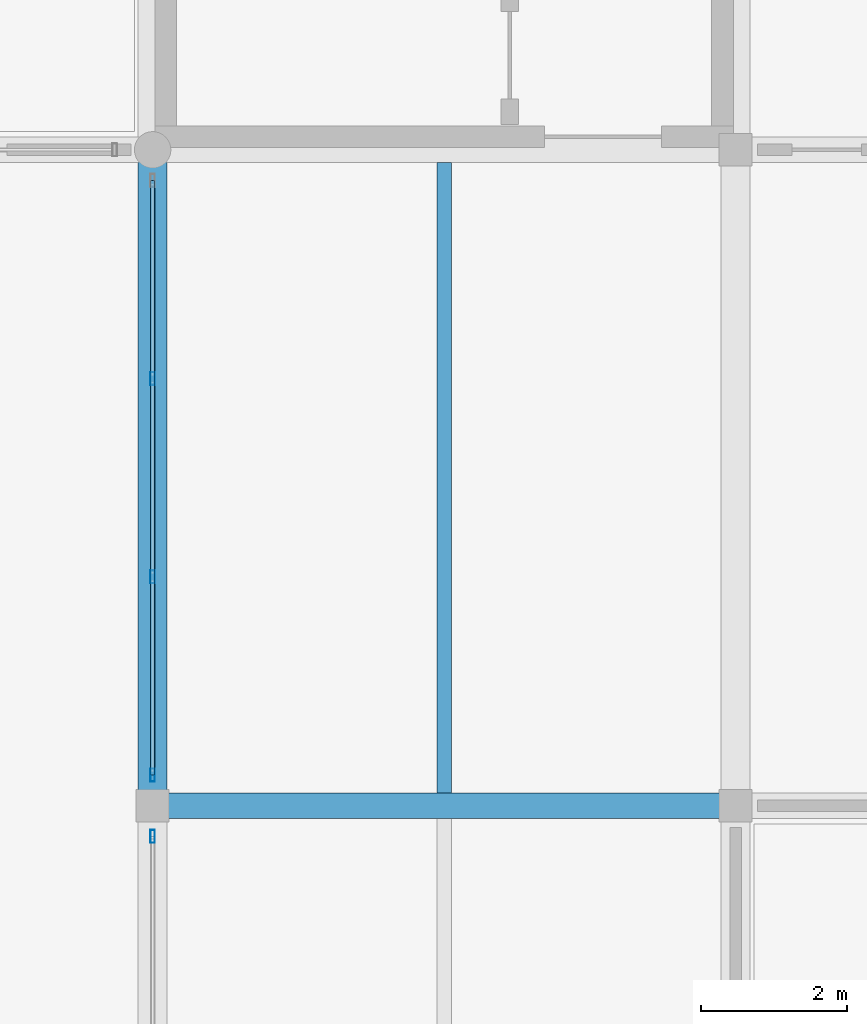
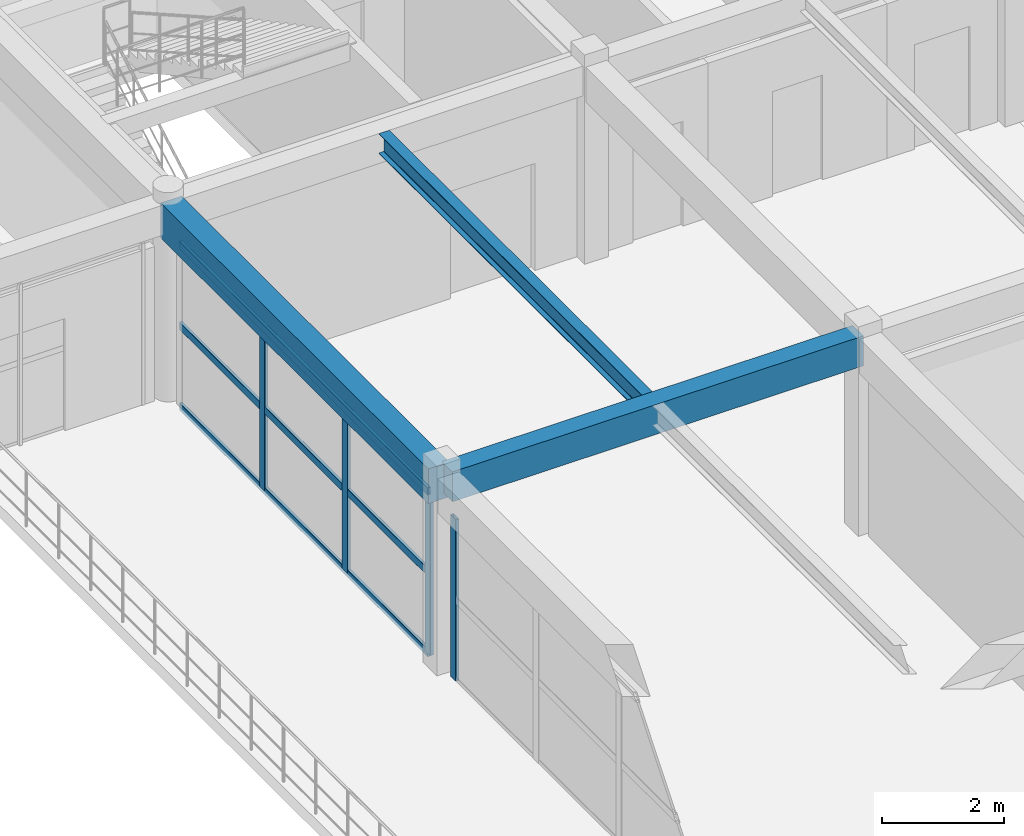
# One storey, part 59 of 126: 7 members, 3 beams, 2 elements without a shape of their own.
"""IFC4 building model written with IfcOpenShell, lengths in metres."""

import ifcopenshell
import ifcopenshell.guid

model = None  # the IFC model being written
_history = None  # IfcOwnerHistory: only IFC2X3 demands one
_inside = {}  # id of a spatial element -> (the spatial element, [elements in it])
_under = {}  # id of a project, library or spatial element -> (it, [spatial elements below it])
_declared = {}  # id of a project -> (the project, [libraries it declares])
_typed = {}  # id of a type object -> (the type object, [elements of that type])
_made_of = {}  # id of a material, layer set ... -> (it, [elements and type objects made of it])


def new_model(schema):
    """Start an empty IFC model of exactly this schema.

    Asked for "IFC4X3", IfcOpenShell would pick the latest addendum, in which some entities
    have other attributes; the version numbers below select the first issue.
    IFC2X3 requires an IfcOwnerHistory on every rooted entity: one is made here for all.
    """
    global model, _history
    if schema == "IFC4X3":
        model = ifcopenshell.file(schema_version=(4, 3, 0, 0))
    else:
        model = ifcopenshell.file(schema=schema)
    _inside.clear()
    _under.clear()
    _declared.clear()
    _typed.clear()
    _made_of.clear()
    _history = None
    if model.schema == "IFC2X3":
        org = make("IfcOrganization", Name="unknown")
        user = make(
            "IfcPersonAndOrganization",
            ThePerson=make("IfcPerson", FamilyName="unknown"),
            TheOrganization=org,
        )
        app = make(
            "IfcApplication",
            ApplicationDeveloper=org,
            Version="unknown",
            ApplicationFullName="unknown",
            ApplicationIdentifier="unknown",
        )
        _history = make(
            "IfcOwnerHistory",
            OwningUser=user,
            OwningApplication=app,
            ChangeAction="ADDED",
            CreationDate=0,
        )
    return model


def make(cls, **values):
    """One entity of the class cls with the attributes given. An attribute that is None is left unset."""
    return model.create_entity(
        cls, **{name: value for name, value in values.items() if value is not None}
    )


def rooted(cls, **values):
    """An entity with a GlobalId (a new one), such as an element, a storey or a relation."""
    return make(cls, GlobalId=ifcopenshell.guid.new(), OwnerHistory=_history, **values)


def si_unit(unit_type, name, prefix=None):
    """IfcSIUnit, for example si_unit("LENGTHUNIT", "METRE", prefix="MILLI")."""
    return make("IfcSIUnit", UnitType=unit_type, Prefix=prefix, Name=name)


def assignment(units):
    """IfcUnitAssignment: the units of a project."""
    return None if units is None else make("IfcUnitAssignment", Units=units)


def point(xyz):
    """IfcCartesianPoint."""
    return None if xyz is None else make("IfcCartesianPoint", Coordinates=xyz)


def direction(xyz):
    """IfcDirection."""
    return None if xyz is None else make("IfcDirection", DirectionRatios=xyz)


def frame(location, z_axis=None, x_axis=None):
    """IfcAxis2Placement3D, a coordinate frame: its origin and axes. An axis left out is left unset."""
    return make(
        "IfcAxis2Placement3D",
        Location=point(location),
        Axis=direction(z_axis),
        RefDirection=direction(x_axis),
    )


def frame_2d(location, x_axis=None):
    """IfcAxis2Placement2D, a coordinate frame in the plane: its origin and x axis."""
    return make(
        "IfcAxis2Placement2D", Location=point(location), RefDirection=direction(x_axis)
    )


def origin():
    """The frame at (0, 0, 0) with its axes left unset."""
    return frame((0.0, 0.0, 0.0))


def origin_2d():
    """The frame at (0, 0) in the plane with its x axis left unset."""
    return frame_2d((0.0, 0.0))


def place(relative_to, where):
    """IfcLocalPlacement: puts the frame where relative to a parent placement (None: the world)."""
    return make(
        "IfcLocalPlacement", PlacementRelTo=relative_to, RelativePlacement=where
    )


def context(
    kind, dimensions, precision=None, world=None, true_north=None, identifier=None
):
    """IfcGeometricRepresentationContext, for example the 3D "Model" context."""
    return make(
        "IfcGeometricRepresentationContext",
        ContextIdentifier=identifier,
        ContextType=kind,
        CoordinateSpaceDimension=dimensions,
        Precision=precision,
        WorldCoordinateSystem=world,
        TrueNorth=true_north,
    )


def subcontext(parent, identifier, kind, view, scale=None):
    """IfcGeometricRepresentationSubContext, for example "Body" below "Model"."""
    return make(
        "IfcGeometricRepresentationSubContext",
        ContextIdentifier=identifier,
        ContextType=kind,
        ParentContext=parent,
        TargetScale=scale,
        TargetView=view,
    )


def project(units=None, contexts=None):
    """IfcProject with its units and contexts."""
    return rooted(
        "IfcProject",
        Name="project",
        RepresentationContexts=contexts,
        UnitsInContext=assignment(units),
    )


def spatial(cls, under=None, at=None, **own):
    """A site, building, storey or space (cls), placed at a placement, below another one or the project."""
    s = rooted(cls, ObjectPlacement=at, **own)
    if under is not None:
        _under.setdefault(under.id(), (under, []))[1].append(s)
    return s


def profile(cls, at=None, kind="AREA", **sizes):
    """A parametric profile (cls). Its sizes go by their IFC names, for example OverallWidth=200.0."""
    return make(cls, ProfileType=kind, Position=at, **sizes)


def rectangle(**sizes):
    """IfcRectangleProfileDef."""
    return profile("IfcRectangleProfileDef", **sizes)


def hollow_rectangle(**sizes):
    """IfcRectangleHollowProfileDef."""
    return profile("IfcRectangleHollowProfileDef", **sizes)


def i_section(**sizes):
    """IfcIShapeProfileDef."""
    return profile("IfcIShapeProfileDef", **sizes)


def extrude(swept, where, along, depth):
    """IfcExtrudedAreaSolid: the profile swept, set in the frame where, extruded along a direction by depth."""
    return make(
        "IfcExtrudedAreaSolid",
        SweptArea=swept,
        Position=where,
        ExtrudedDirection=direction(along),
        Depth=depth,
    )


def shape(context_of_items, identifier, shape_type, items):
    """IfcShapeRepresentation: the items that make up one representation, for example the "Body"."""
    return make(
        "IfcShapeRepresentation",
        ContextOfItems=context_of_items,
        RepresentationIdentifier=identifier,
        RepresentationType=shape_type,
        Items=items,
    )


def material(Name=None, Category=None):
    """IfcMaterial."""
    return make("IfcMaterial", Name=Name, Category=Category)


def material_profile(
    of_material, cross_section, Name=None, Category=None, Priority=None
):
    """IfcMaterialProfile: a cross section and its material."""
    return make(
        "IfcMaterialProfile",
        Name=Name,
        Material=of_material,
        Profile=cross_section,
        Priority=Priority,
        Category=Category,
    )


def profile_set(profiles, Name=None, composite=None):
    """IfcMaterialProfileSet."""
    return make(
        "IfcMaterialProfileSet",
        Name=Name,
        MaterialProfiles=profiles,
        CompositeProfile=composite,
    )


def made_of(thing, what):
    """Note that an element or type object is made of a material, layer set ...; save() writes the relation."""
    if what is not None:
        _made_of.setdefault(what.id(), (what, []))[1].append(thing)
    return thing


def type_object(cls, material=None, **own):
    """A type object (cls), such as IfcWallType, which elements share."""
    return made_of(rooted(cls, **own), material)


def element(
    cls,
    number,
    at=None,
    inside=None,
    cuts=None,
    type_object=None,
    material=None,
    context=None,
    identifier="Body",
    shape_type=None,
    held_by="IfcProductDefinitionShape",
    body=None,
    shapes=None,
    **own,
):
    """One element of the class cls, such as IfcWall. Its Tag is "e" and its number.

    at: its placement. inside: the storey or other place that contains it. cuts: it is an
    opening in that element (IfcRelVoidsElement). A single representation is given by context,
    identifier, shape_type and body (its items); several are given by shapes. held_by: the class
    of the entity that holds the representations. save() writes the other relations.
    """
    e = rooted(cls, Tag="e%d" % number, ObjectPlacement=at, **own)
    if body is not None:
        shapes = [shape(context, identifier, shape_type, body)]
    if shapes is not None:
        e.Representation = make(held_by, Representations=shapes)
    if inside is not None:
        _inside.setdefault(inside.id(), (inside, []))[1].append(e)
    if cuts is not None:
        rooted(
            "IfcRelVoidsElement", RelatingBuildingElement=cuts, RelatedOpeningElement=e
        )
    if type_object is not None:
        _typed.setdefault(type_object.id(), (type_object, []))[1].append(e)
    return made_of(e, material)


def aggregate(whole, parts):
    """IfcRelAggregates: a whole, such as a stair, and the parts it consists of."""
    return rooted("IfcRelAggregates", RelatingObject=whole, RelatedObjects=parts)


def save(model, path):
    """Write the relations noted so far, then the file.

    IfcRelAggregates (storeys below a building ...), IfcRelContainedInSpatialStructure (elements
    in a storey), IfcRelDefinesByType, IfcRelAssociatesMaterial and IfcRelDeclares: one each for
    every whole, place, type object, material and project.
    """
    for whole, parts in _under.values():
        aggregate(whole, parts)
    for where, things in _inside.values():
        rooted(
            "IfcRelContainedInSpatialStructure",
            RelatedElements=things,
            RelatingStructure=where,
        )
    for kind, things in _typed.values():
        rooted("IfcRelDefinesByType", RelatedObjects=things, RelatingType=kind)
    for what, things in _made_of.values():
        rooted("IfcRelAssociatesMaterial", RelatedObjects=things, RelatingMaterial=what)
    for by, libraries in _declared.values():
        rooted("IfcRelDeclares", RelatingContext=by, RelatedDefinitions=libraries)
    model.write(path)


model = new_model("IFC4")

# Units and contexts
model_context = context("Model", 3, precision=1e-05, world=origin(), true_north=direction((0.0, 1.0)))
body_context = subcontext(model_context, "Body", "Model", "MODEL_VIEW")
ifc_project = project(units=[si_unit("LENGTHUNIT", "METRE"), si_unit("AREAUNIT", "SQUARE_METRE"), si_unit("VOLUMEUNIT", "CUBIC_METRE"), si_unit("PLANEANGLEUNIT", "RADIAN"), si_unit("MASSUNIT", "GRAM", prefix="KILO")], contexts=[model_context])

# Site, building, storey
site_placement = place(None, origin())
site = spatial("IfcSite", under=ifc_project, at=site_placement, CompositionType="ELEMENT")
building_placement = place(site_placement, origin())
building = spatial("IfcBuilding", under=site, at=building_placement, Name="Varnabhumi Central Station", CompositionType="ELEMENT")
storey_placement = place(building_placement, frame((0.0, 0.0, 16.199951171875)))
storey = spatial("IfcBuildingStorey", under=building, at=storey_placement, Name="L03", CompositionType="ELEMENT", Elevation=16.199951171875)

# Beams
ifc_material_1 = material(Name="Concrete M40", Category="concrete")
ifc_material_profile_1 = material_profile(ifc_material_1, rectangle(XDim=0.35009765625, YDim=0.60009765625, at=origin_2d()), Name="Concrete M40", Category="concrete")
ifc_profile_set_1 = profile_set([ifc_material_profile_1], Name="Concrete M40")
beam_type_1 = type_object("IfcBeamType", Name="BM-RC-350x600", PredefinedType="BEAM", material=ifc_profile_set_1)
beam_1_placement = place(storey_placement, frame((80.10009765625, 98.0, 3.650146484375), z_axis=(1.0, 0.0, 0.0), x_axis=(0.0, 1.0, 0.0)))
element("IfcBeam", 1, at=beam_1_placement, inside=storey, type_object=beam_type_1, Name="Beam L03-M:11-12", PredefinedType="BEAM", context=body_context, shape_type="SweptSolid", body=[
    extrude(rectangle(XDim=0.35009765625, YDim=0.60009765625, at=origin_2d()), origin(), (0.0, 0.0, 1.0), 7.7998046875),
])
ifc_material_profile_2 = material_profile(ifc_material_1, rectangle(XDim=0.39990234375, YDim=0.699951171875, at=origin_2d()), Name="Concrete M40", Category="concrete")
ifc_profile_set_2 = profile_set([ifc_material_profile_2], Name="Concrete M40")
beam_type_2 = type_object("IfcBeamType", Name="BM-RC-700x400", PredefinedType="BEAM", material=ifc_profile_set_2)
beam_2_placement = place(storey_placement, frame((80.0, 98.10009765625, 3.60009765625), z_axis=(0.0, 1.0, 0.0), x_axis=(-1.0, 0.0, 0.0)))
element("IfcBeam", 2, at=beam_2_placement, inside=storey, type_object=beam_type_2, Name="Beam L03-11:M-N", PredefinedType="BEAM", context=body_context, shape_type="SweptSolid", body=[
    extrude(rectangle(XDim=0.39990234375, YDim=0.699951171875, at=origin_2d()), origin(), (0.0, 0.0, 1.0), 8.7998046875),
])
ifc_material_2 = material(Name="Structural steel E350", Category="steel")
ifc_material_profile_3 = material_profile(ifc_material_2, i_section(OverallWidth=0.199951171875, OverallDepth=0.39990234375, WebThickness=0.008544921875, FlangeThickness=0.012939453125, FilletRadius=0.012939453125, at=origin_2d()), Name="Structural steel E350", Category="steel")
ifc_profile_set_3 = profile_set([ifc_material_profile_3], Name="Structural steel E350")
beam_type_3 = type_object("IfcBeamType", Name="BM-SEC-ISWB400", PredefinedType="JOIST", material=ifc_profile_set_3)
beam_3_placement = place(storey_placement, frame((84.0, 98.175048828125, 3.75), z_axis=(0.0, 1.0, 0.0), x_axis=(-1.0, 0.0, 0.0)))
element("IfcBeam", 3, at=beam_3_placement, inside=storey, type_object=beam_type_3, Name="Secondary Joist L03-11/12:M-N", PredefinedType="JOIST", context=body_context, shape_type="SweptSolid", body=[
    extrude(i_section(OverallWidth=0.199951171875, OverallDepth=0.39990234375, WebThickness=0.008544921875, FlangeThickness=0.012939453125, FilletRadius=0.012939453125, at=origin_2d()), origin(), (0.0, 0.0, 1.0), 8.64990234375),
])

# Curtain wall, member
ifc_material_3 = material(Name="Anodised aluminium 6063-T6", Category="aluminium")
curtain_wall_type = type_object("IfcCurtainWallType", Name="CW-PATIO-LOGGIA-L3", PredefinedType="NOTDEFINED", material=ifc_material_3)
curtain_wall_1_placement = place(storey_placement, origin())
curtain_wall_1 = element("IfcCurtainWall", 4, at=curtain_wall_1_placement, inside=storey, type_object=curtain_wall_type, Name="Curtain Wall CW-NP3W1", PredefinedType="NOTDEFINED")
ifc_material_profile_4 = material_profile(ifc_material_3, hollow_rectangle(XDim=0.06494140625, YDim=0.179931640625, WallThickness=0.00390625, InnerFilletRadius=0.001953125, OuterFilletRadius=0.006103515625, at=origin_2d()), Name="Anodised aluminium 6063-T6", Category="aluminium")
ifc_profile_set_4 = profile_set([ifc_material_profile_4], Name="Anodised aluminium 6063-T6")
member_type_1 = type_object("IfcMemberType", Name="CW-MUL-180", PredefinedType="MULLION", material=ifc_profile_set_4)
member_1_placement = place(storey_placement, frame((80.0, 97.580078125, 0.0), z_axis=(0.0, 0.0, 1.0), x_axis=(1.0, 0.0, 0.0)))
member_1 = element("IfcMember", 5, at=member_1_placement, type_object=member_type_1, Name="Curtain Wall Mullion CW-NP3W1-M4", PredefinedType="MULLION", context=body_context, shape_type="SweptSolid", body=[
    extrude(hollow_rectangle(XDim=0.06494140625, YDim=0.179931640625, WallThickness=0.00390625, InnerFilletRadius=0.001953125, OuterFilletRadius=0.006103515625, at=origin_2d()), origin(), (0.0, 0.0, 1.0), 3.239990234375),
])
aggregate(curtain_wall_1, [member_1])

# Curtain wall, members
curtain_wall_2_placement = place(storey_placement, origin())
curtain_wall_2 = element("IfcCurtainWall", 6, at=curtain_wall_2_placement, inside=storey, type_object=curtain_wall_type, Name="Curtain Wall CW-NP3W2", PredefinedType="NOTDEFINED")
member_2_placement = place(storey_placement, frame((80.0, 98.419921875, 0.0), z_axis=(0.0, 0.0, 1.0), x_axis=(1.0, 0.0, 0.0)))
member_2 = element("IfcMember", 7, at=member_2_placement, type_object=member_type_1, Name="Curtain Wall Mullion CW-NP3W2-M1", PredefinedType="MULLION", context=body_context, shape_type="SweptSolid", body=[
    extrude(hollow_rectangle(XDim=0.06494140625, YDim=0.179931640625, WallThickness=0.00390625, InnerFilletRadius=0.001953125, OuterFilletRadius=0.006103515625, at=origin_2d()), origin(), (0.0, 0.0, 1.0), 3.239990234375),
])
member_3_placement = place(storey_placement, frame((80.0, 101.139892578125, 0.0), z_axis=(0.0, 0.0, 1.0), x_axis=(1.0, 0.0, 0.0)))
member_3 = element("IfcMember", 8, at=member_3_placement, type_object=member_type_1, Name="Curtain Wall Mullion CW-NP3W2-M2", PredefinedType="MULLION", context=body_context, shape_type="SweptSolid", body=[
    extrude(hollow_rectangle(XDim=0.06494140625, YDim=0.179931640625, WallThickness=0.00390625, InnerFilletRadius=0.001953125, OuterFilletRadius=0.006103515625, at=origin_2d()), origin(), (0.0, 0.0, 1.0), 3.239990234375),
])
member_4_placement = place(storey_placement, frame((80.0, 103.860107421875, 0.0), z_axis=(0.0, 0.0, 1.0), x_axis=(1.0, 0.0, 0.0)))
member_4 = element("IfcMember", 9, at=member_4_placement, type_object=member_type_1, Name="Curtain Wall Mullion CW-NP3W2-M3", PredefinedType="MULLION", context=body_context, shape_type="SweptSolid", body=[
    extrude(hollow_rectangle(XDim=0.06494140625, YDim=0.179931640625, WallThickness=0.00390625, InnerFilletRadius=0.001953125, OuterFilletRadius=0.006103515625, at=origin_2d()), origin(), (0.0, 0.0, 1.0), 3.239990234375),
])
ifc_material_profile_5 = material_profile(ifc_material_3, hollow_rectangle(XDim=0.06005859375, YDim=0.14990234375, WallThickness=0.00390625, InnerFilletRadius=0.001953125, OuterFilletRadius=0.006103515625, at=origin_2d()), Name="Anodised aluminium 6063-T6", Category="aluminium")
ifc_profile_set_5 = profile_set([ifc_material_profile_5], Name="Anodised aluminium 6063-T6")
member_type_2 = type_object("IfcMemberType", Name="CW-TR-150", PredefinedType="USERDEFINED", material=ifc_profile_set_5)
member_5_placement = place(storey_placement, frame((80.0, 98.419921875, 0.0), z_axis=(0.0, 1.0, 0.0), x_axis=(-1.0, 0.0, 0.0)))
member_5 = element("IfcMember", 10, at=member_5_placement, type_object=member_type_2, Name="Curtain Wall Transom CW-NP3W2-T1", ObjectType="TRANSOM", PredefinedType="USERDEFINED", context=body_context, shape_type="SweptSolid", body=[
    extrude(hollow_rectangle(XDim=0.06005859375, YDim=0.14990234375, WallThickness=0.00390625, InnerFilletRadius=0.001953125, OuterFilletRadius=0.006103515625, at=origin_2d()), origin(), (0.0, 0.0, 1.0), 8.16015625),
])
member_6_placement = place(storey_placement, frame((80.0, 98.419921875, 1.6201171875), z_axis=(0.0, 1.0, 0.0), x_axis=(-1.0, 0.0, 0.0)))
member_6 = element("IfcMember", 11, at=member_6_placement, type_object=member_type_2, Name="Curtain Wall Transom CW-NP3W2-T2", ObjectType="TRANSOM", PredefinedType="USERDEFINED", context=body_context, shape_type="SweptSolid", body=[
    extrude(hollow_rectangle(XDim=0.06005859375, YDim=0.14990234375, WallThickness=0.00390625, InnerFilletRadius=0.001953125, OuterFilletRadius=0.006103515625, at=origin_2d()), origin(), (0.0, 0.0, 1.0), 8.16015625),
])
member_7_placement = place(storey_placement, frame((80.0, 98.419921875, 3.239990234375), z_axis=(0.0, 1.0, 0.0), x_axis=(-1.0, 0.0, 0.0)))
member_7 = element("IfcMember", 12, at=member_7_placement, type_object=member_type_2, Name="Curtain Wall Transom CW-NP3W2-T3", ObjectType="TRANSOM", PredefinedType="USERDEFINED", context=body_context, shape_type="SweptSolid", body=[
    extrude(hollow_rectangle(XDim=0.06005859375, YDim=0.14990234375, WallThickness=0.00390625, InnerFilletRadius=0.001953125, OuterFilletRadius=0.006103515625, at=origin_2d()), origin(), (0.0, 0.0, 1.0), 8.16015625),
])
aggregate(curtain_wall_2, [member_2, member_3, member_4, member_5, member_6, member_7])

save(model, "model.ifc")
